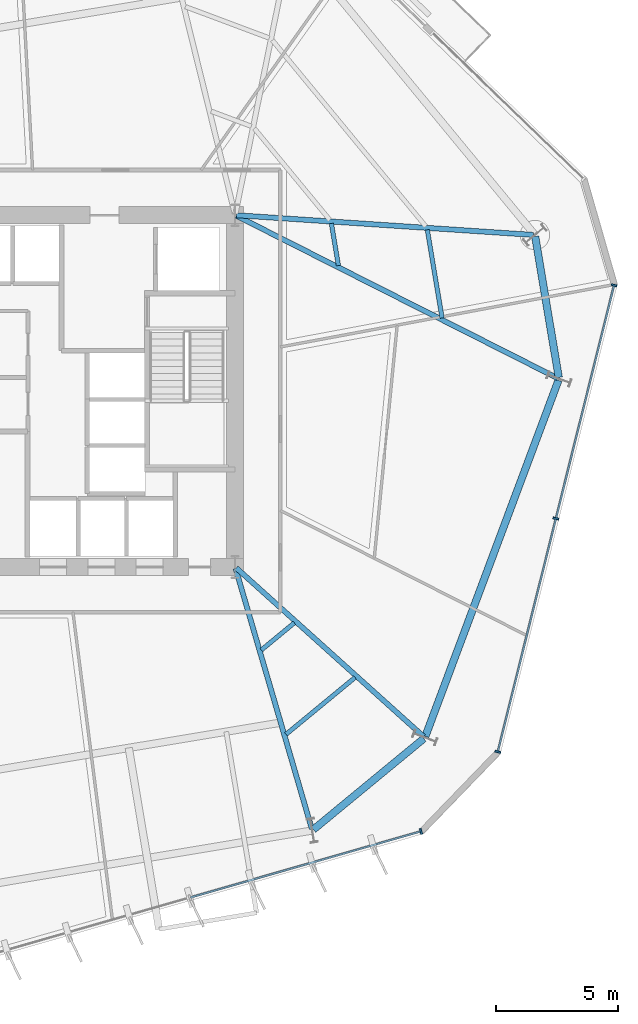
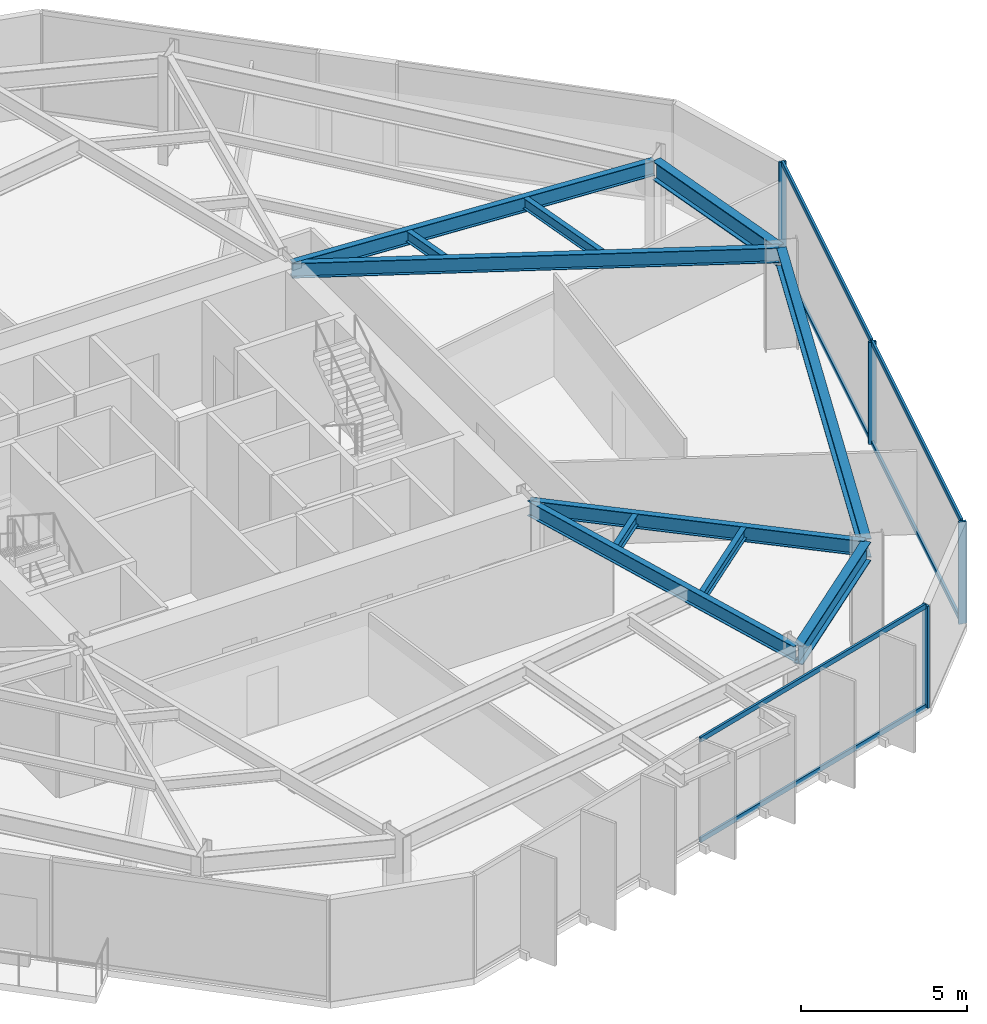
# One storey, part 3 of 10: 11 beams, 10 members, 2 elements without a shape of their own.
"""IFC4 building model written with IfcOpenShell, lengths in metres."""

from ifc_helpers import new_model, si_unit, direction, frame, origin, origin_2d, place, context, subcontext, project, spatial, rectangle, i_section, extrude, material, layer, layer_set, material_profile, profile_set, type_object, element, aggregate, save


model = new_model("IFC4")

# Units and contexts
model_context = context("Model", 3, precision=1e-05, world=origin(), true_north=direction((0.0, 1.0)))
body_context = subcontext(model_context, "Body", "Model", "MODEL_VIEW")
ifc_project = project(units=[si_unit("LENGTHUNIT", "METRE"), si_unit("AREAUNIT", "SQUARE_METRE"), si_unit("VOLUMEUNIT", "CUBIC_METRE"), si_unit("PLANEANGLEUNIT", "RADIAN"), si_unit("MASSUNIT", "GRAM", prefix="KILO")], contexts=[model_context])

# Site, building, storey
site_placement = place(None, origin())
site = spatial("IfcSite", under=ifc_project, at=site_placement, CompositionType="ELEMENT")
building_placement = place(site_placement, origin())
building = spatial("IfcBuilding", under=site, at=building_placement, Name="Kranzbogen Civic Tower", CompositionType="ELEMENT")
storey_placement = place(building_placement, frame((0.0, 0.0, 84.0)))
storey = spatial("IfcBuildingStorey", under=building, at=storey_placement, Name="L20", CompositionType="ELEMENT", Elevation=84.0)

# Curtain wall, member
ifc_material_1 = material(Name="Pale Anodised Aluminium", Category="aluminium")
ifc_layer = layer(ifc_material_1, 0.219970703125, Name="Pale Anodised Aluminium")
ifc_layer_set = layer_set([ifc_layer], Name="Pale Anodised Aluminium")
curtain_wall_type = type_object("IfcCurtainWallType", Name="Zone 1 Stick Curtain Wall System CW-02", PredefinedType="USERDEFINED", material=ifc_layer_set)
curtain_wall_1_placement = place(storey_placement, origin())
curtain_wall_1 = element("IfcCurtainWall", 1, at=curtain_wall_1_placement, inside=storey, type_object=curtain_wall_type, Name="L20 curtain wall CW-L20-F5", ObjectType="STICK CURTAIN WALL", PredefinedType="USERDEFINED")
ifc_material_profile_1 = material_profile(ifc_material_1, rectangle(XDim=0.080078125, YDim=0.239990234375, at=origin_2d()), Name="ALU-M 80x240")
ifc_profile_set_1 = profile_set([ifc_material_profile_1], Name="Pale Anodised Aluminium")
member_type_1 = type_object("IfcMemberType", Name="Curtain Wall Mullion ALU-M 80x240", PredefinedType="MULLION", material=ifc_profile_set_1)
member_1_placement = place(storey_placement, frame((40.4072265625, 6.975830078125, 0.0), z_axis=(0.0, 0.0, 1.0), x_axis=(0.961250163231, 0.275677571973, 0.0)))
member_1 = element("IfcMember", 2, at=member_1_placement, type_object=member_type_1, Name="CW-02 mullion 3", PredefinedType="MULLION", context=body_context, shape_type="SweptSolid", body=[
    extrude(rectangle(XDim=0.080078125, YDim=0.239990234375, at=origin_2d()), origin(), (0.0, 0.0, 1.0), 3.760009765625),
])

# Curtain wall, members
curtain_wall_2_placement = place(storey_placement, origin())
curtain_wall_2 = element("IfcCurtainWall", 3, at=curtain_wall_2_placement, inside=storey, type_object=curtain_wall_type, Name="L20 curtain wall CW-L20-F6", ObjectType="STICK CURTAIN WALL", PredefinedType="USERDEFINED")
member_2_placement = place(storey_placement, frame((43.55126953125, 10.231201171875, 0.0), z_axis=(0.0, 0.0, 1.0), x_axis=(0.241892051596, 0.970303166734, 0.0)))
member_2 = element("IfcMember", 4, at=member_2_placement, type_object=member_type_1, Name="CW-02 mullion 1", PredefinedType="MULLION", context=body_context, shape_type="SweptSolid", body=[
    extrude(rectangle(XDim=0.080078125, YDim=0.239990234375, at=origin_2d()), origin(), (0.0, 0.0, 1.0), 3.760009765625),
])
member_3_placement = place(storey_placement, frame((45.931884765625, 19.781005859375, 0.0), z_axis=(0.0, 0.0, 1.0), x_axis=(0.241892051596, 0.970303166734, 0.0)))
member_3 = element("IfcMember", 5, at=member_3_placement, type_object=member_type_1, Name="CW-02 mullion 2", PredefinedType="MULLION", context=body_context, shape_type="SweptSolid", body=[
    extrude(rectangle(XDim=0.080078125, YDim=0.239990234375, at=origin_2d()), origin(), (0.0, 0.0, 1.0), 3.760009765625),
])
member_4_placement = place(storey_placement, frame((48.312744140625, 29.330810546875, 0.0), z_axis=(0.0, 0.0, 1.0), x_axis=(0.241892051596, 0.970303166734, 0.0)))
member_4 = element("IfcMember", 6, at=member_4_placement, type_object=member_type_1, Name="CW-02 mullion 3", PredefinedType="MULLION", context=body_context, shape_type="SweptSolid", body=[
    extrude(rectangle(XDim=0.080078125, YDim=0.239990234375, at=origin_2d()), origin(), (0.0, 0.0, 1.0), 3.760009765625),
])

# Member
ifc_material_profile_2 = material_profile(ifc_material_1, rectangle(XDim=0.080078125, YDim=0.179931640625, at=origin_2d()), Name="ALU-T 80x180")
ifc_profile_set_2 = profile_set([ifc_material_profile_2], Name="Pale Anodised Aluminium")
member_type_2 = type_object("IfcMemberType", Name="Curtain Wall Transom ALU-T 80x180", PredefinedType="USERDEFINED", material=ifc_profile_set_2)
member_5_placement = place(storey_placement, frame((30.975341796875, 4.270751953125, 0.030029296875), z_axis=(0.961248459523, 0.275683512499, 0.0), x_axis=(-0.275683512499, 0.961248459523, 0.0)))
member_5 = element("IfcMember", 7, at=member_5_placement, type_object=member_type_2, Name="CW-02 transom 2.1", ObjectType="TRANSOM", PredefinedType="USERDEFINED", context=body_context, shape_type="SweptSolid", body=[
    extrude(rectangle(XDim=0.080078125, YDim=0.179931640625, at=origin_2d()), origin(), (0.0, 0.0, 1.0), 9.7822265625),
])

member_6_placement = place(storey_placement, frame((30.975341796875, 4.270751953125, 3.72998046875), z_axis=(0.961248459523, 0.275683512499, 0.0), x_axis=(-0.275683512499, 0.961248459523, 0.0)))
member_6 = element("IfcMember", 8, at=member_6_placement, type_object=member_type_2, Name="CW-02 transom 2.2", ObjectType="TRANSOM", PredefinedType="USERDEFINED", context=body_context, shape_type="SweptSolid", body=[
    extrude(rectangle(XDim=0.080078125, YDim=0.179931640625, at=origin_2d()), origin(), (0.0, 0.0, 1.0), 9.7822265625),
])

aggregate(curtain_wall_1, [member_1, member_5, member_6])

member_7_placement = place(storey_placement, frame((43.55859375, 10.26025390625, 0.030029296875), z_axis=(0.241889608394, 0.97030377581, 0.0), x_axis=(-0.97030377581, 0.241889608394, 0.0)))
member_7 = element("IfcMember", 9, at=member_7_placement, type_object=member_type_2, Name="CW-02 transom 1.1", ObjectType="TRANSOM", PredefinedType="USERDEFINED", context=body_context, shape_type="SweptSolid", body=[
    extrude(rectangle(XDim=0.080078125, YDim=0.179931640625, at=origin_2d()), origin(), (0.0, 0.0, 1.0), 9.7822265625),
])

member_8_placement = place(storey_placement, frame((43.55859375, 10.26025390625, 3.72998046875), z_axis=(0.241889608394, 0.97030377581, 0.0), x_axis=(-0.97030377581, 0.241889608394, 0.0)))
member_8 = element("IfcMember", 10, at=member_8_placement, type_object=member_type_2, Name="CW-02 transom 1.2", ObjectType="TRANSOM", PredefinedType="USERDEFINED", context=body_context, shape_type="SweptSolid", body=[
    extrude(rectangle(XDim=0.080078125, YDim=0.179931640625, at=origin_2d()), origin(), (0.0, 0.0, 1.0), 9.7822265625),
])

member_9_placement = place(storey_placement, frame((45.939208984375, 19.81005859375, 0.030029296875), z_axis=(0.241889608394, 0.97030377581, 0.0), x_axis=(-0.97030377581, 0.241889608394, 0.0)))
member_9 = element("IfcMember", 11, at=member_9_placement, type_object=member_type_2, Name="CW-02 transom 2.1", ObjectType="TRANSOM", PredefinedType="USERDEFINED", context=body_context, shape_type="SweptSolid", body=[
    extrude(rectangle(XDim=0.080078125, YDim=0.179931640625, at=origin_2d()), origin(), (0.0, 0.0, 1.0), 9.7822265625),
])

member_10_placement = place(storey_placement, frame((45.939208984375, 19.81005859375, 3.72998046875), z_axis=(0.241889608394, 0.97030377581, 0.0), x_axis=(-0.97030377581, 0.241889608394, 0.0)))
member_10 = element("IfcMember", 12, at=member_10_placement, type_object=member_type_2, Name="CW-02 transom 2.2", ObjectType="TRANSOM", PredefinedType="USERDEFINED", context=body_context, shape_type="SweptSolid", body=[
    extrude(rectangle(XDim=0.080078125, YDim=0.179931640625, at=origin_2d()), origin(), (0.0, 0.0, 1.0), 9.7822265625),
])

aggregate(curtain_wall_2, [member_2, member_3, member_4, member_7, member_8, member_9, member_10])

# Beams
ifc_material_2 = material(Name="Steel S355", Category="steel")
ifc_material_profile_3 = material_profile(ifc_material_2, i_section(OverallWidth=0.300048828125, OverallDepth=0.699951171875, WebThickness=0.01708984375, FlangeThickness=0.031982421875, at=origin_2d()), Name="HEB 700")
ifc_profile_set_3 = profile_set([ifc_material_profile_3], Name="Steel S355")
beam_type_1 = type_object("IfcBeamType", Name="Perimeter Tube Spandrel Beam HEB 700", PredefinedType="SPANDREL", material=ifc_profile_set_3)
beam_1_placement = place(storey_placement, frame((36.00390625, 7.050048828125, 3.409912109375), z_axis=(0.77168336865, 0.636006901337, 0.0), x_axis=(-0.636006901337, 0.77168336865, 0.0)))
element("IfcBeam", 13, at=beam_1_placement, inside=storey, type_object=beam_type_1, Name="L20 perimeter spandrel beam 05", PredefinedType="SPANDREL", context=body_context, shape_type="SweptSolid", body=[
    extrude(i_section(OverallWidth=0.300048828125, OverallDepth=0.699951171875, WebThickness=0.01708984375, FlangeThickness=0.031982421875, at=origin_2d()), origin(), (0.0, 0.0, 1.0), 5.853515625),
])
beam_2_placement = place(storey_placement, frame((40.587890625, 10.866943359375, 3.409912109375), z_axis=(0.350172267932, 0.936685316833, 0.0), x_axis=(-0.936685316833, 0.350172267932, 0.0)))
element("IfcBeam", 14, at=beam_2_placement, inside=storey, type_object=beam_type_1, Name="L20 perimeter spandrel beam 06", PredefinedType="SPANDREL", context=body_context, shape_type="SweptSolid", body=[
    extrude(i_section(OverallWidth=0.300048828125, OverallDepth=0.699951171875, WebThickness=0.01708984375, FlangeThickness=0.031982421875, at=origin_2d()), origin(), (0.0, 0.0, 1.0), 15.55810546875),
])
beam_3_placement = place(storey_placement, frame((46.047119140625, 25.554931640625, 3.409912109375), z_axis=(-0.164913116942, 0.986308097838, 0.0), x_axis=(-0.986308097838, -0.164913116942, 0.0)))
element("IfcBeam", 15, at=beam_3_placement, inside=storey, type_object=beam_type_1, Name="L20 perimeter spandrel beam 07", PredefinedType="SPANDREL", context=body_context, shape_type="SweptSolid", body=[
    extrude(i_section(OverallWidth=0.300048828125, OverallDepth=0.699951171875, WebThickness=0.01708984375, FlangeThickness=0.031982421875, at=origin_2d()), origin(), (0.0, 0.0, 1.0), 5.85205078125),
])
ifc_material_profile_4 = material_profile(ifc_material_2, i_section(OverallWidth=0.2099609375, OverallDepth=0.550048828125, WebThickness=0.010986328125, FlangeThickness=0.01708984375, at=origin_2d()), Name="IPE 550")
ifc_profile_set_4 = profile_set([ifc_material_profile_4], Name="Steel S355")
beam_type_2 = type_object("IfcBeamType", Name="Radial Tower Floor Girder IPE 550", PredefinedType="BEAM", material=ifc_profile_set_4)
beam_4_placement = place(storey_placement, frame((35.94091796875, 7.070068359375, 3.485107421875), z_axis=(-0.280944131918, 0.959724124288, 0.0), x_axis=(-0.959724124288, -0.280944131918, 0.0)))
element("IfcBeam", 16, at=beam_4_placement, inside=storey, type_object=beam_type_2, Name="L20 radial floor girder 05", PredefinedType="BEAM", context=body_context, shape_type="SweptSolid", body=[
    extrude(i_section(OverallWidth=0.2099609375, OverallDepth=0.550048828125, WebThickness=0.010986328125, FlangeThickness=0.01708984375, at=origin_2d()), origin(), (0.0, 0.0, 1.0), 11.11962890625),
])
beam_5_placement = place(storey_placement, frame((40.52197265625, 10.85107421875, 3.485107421875), z_axis=(-0.743311776894, 0.668945141496, 0.0), x_axis=(-0.668945141496, -0.743311776894, 0.0)))
element("IfcBeam", 17, at=beam_5_placement, inside=storey, type_object=beam_type_2, Name="L20 radial floor girder 06", PredefinedType="BEAM", context=body_context, shape_type="SweptSolid", body=[
    extrude(i_section(OverallWidth=0.2099609375, OverallDepth=0.550048828125, WebThickness=0.010986328125, FlangeThickness=0.01708984375, at=origin_2d()), origin(), (0.0, 0.0, 1.0), 10.328125),
])
beam_6_placement = place(storey_placement, frame((46.0029296875, 25.52294921875, 3.485107421875), z_axis=(-0.892363219254, 0.451317942168, 0.0), x_axis=(-0.451317942168, -0.892363219254, 0.0)))
element("IfcBeam", 18, at=beam_6_placement, inside=storey, type_object=beam_type_2, Name="L20 radial floor girder 07", PredefinedType="BEAM", context=body_context, shape_type="SweptSolid", body=[
    extrude(i_section(OverallWidth=0.2099609375, OverallDepth=0.550048828125, WebThickness=0.010986328125, FlangeThickness=0.01708984375, at=origin_2d()), origin(), (0.0, 0.0, 1.0), 14.73486328125),
])
beam_7_placement = place(storey_placement, frame((45.011962890625, 31.389892578125, 3.485107421875), z_axis=(-0.99780674843, 0.066194356156, 0.0), x_axis=(-0.066194356156, -0.99780674843, 0.0)))
element("IfcBeam", 19, at=beam_7_placement, inside=storey, type_object=beam_type_2, Name="L20 radial floor girder 08", PredefinedType="BEAM", context=body_context, shape_type="SweptSolid", body=[
    extrude(i_section(OverallWidth=0.2099609375, OverallDepth=0.550048828125, WebThickness=0.010986328125, FlangeThickness=0.01708984375, at=origin_2d()), origin(), (0.0, 0.0, 1.0), 12.178466796875),
])
ifc_material_profile_5 = material_profile(ifc_material_2, i_section(OverallWidth=0.179931640625, OverallDepth=0.39990234375, WebThickness=0.008544921875, FlangeThickness=0.013427734375, at=origin_2d()), Name="IPE 400")
ifc_profile_set_5 = profile_set([ifc_material_profile_5], Name="Steel S355")
beam_type_3 = type_object("IfcBeamType", Name="Secondary Composite Floor Joist IPE 400", PredefinedType="JOIST", material=ifc_profile_set_5)
beam_8_placement = place(storey_placement, frame((34.883056640625, 10.947021484375, 3.56005859375), z_axis=(0.771712720426, 0.635971286406, 0.0), x_axis=(-0.635971286406, 0.771712720426, 0.0)))
element("IfcBeam", 20, at=beam_8_placement, inside=storey, type_object=beam_type_3, Name="L20 secondary floor joist 1.05", PredefinedType="JOIST", context=body_context, shape_type="SweptSolid", body=[
    extrude(i_section(OverallWidth=0.179931640625, OverallDepth=0.39990234375, WebThickness=0.008544921875, FlangeThickness=0.013427734375, at=origin_2d()), origin(), (0.0, 0.0, 1.0), 3.661865234375),
])
beam_9_placement = place(storey_placement, frame((33.8720703125, 14.39892578125, 3.56005859375), z_axis=(0.771773324836, 0.635897739477, 0.0), x_axis=(-0.635897739477, 0.771773324836, 0.0)))
element("IfcBeam", 21, at=beam_9_placement, inside=storey, type_object=beam_type_3, Name="L20 secondary floor joist 2.05", PredefinedType="JOIST", context=body_context, shape_type="SweptSolid", body=[
    extrude(i_section(OverallWidth=0.179931640625, OverallDepth=0.39990234375, WebThickness=0.008544921875, FlangeThickness=0.013427734375, at=origin_2d()), origin(), (0.0, 0.0, 1.0), 1.751953125),
])
beam_10_placement = place(storey_placement, frame((41.27099609375, 27.988037109375, 3.56005859375), z_axis=(-0.164928678379, 0.986305495802, 0.0), x_axis=(-0.986305495802, -0.164928678379, 0.0)))
element("IfcBeam", 22, at=beam_10_placement, inside=storey, type_object=beam_type_3, Name="L20 secondary floor joist 1.07", PredefinedType="JOIST", context=body_context, shape_type="SweptSolid", body=[
    extrude(i_section(OverallWidth=0.179931640625, OverallDepth=0.39990234375, WebThickness=0.008544921875, FlangeThickness=0.013427734375, at=origin_2d()), origin(), (0.0, 0.0, 1.0), 3.662109375),
])
beam_11_placement = place(storey_placement, frame((37.029052734375, 30.134033203125, 3.56005859375), z_axis=(-0.165077224104, 0.986280644686, 0.0), x_axis=(-0.986280644686, -0.165077224104, 0.0)))
element("IfcBeam", 23, at=beam_11_placement, inside=storey, type_object=beam_type_3, Name="L20 secondary floor joist 2.07", PredefinedType="JOIST", context=body_context, shape_type="SweptSolid", body=[
    extrude(i_section(OverallWidth=0.179931640625, OverallDepth=0.39990234375, WebThickness=0.008544921875, FlangeThickness=0.013427734375, at=origin_2d()), origin(), (0.0, 0.0, 1.0), 1.7509765625),
])

save(model, "model.ifc")
